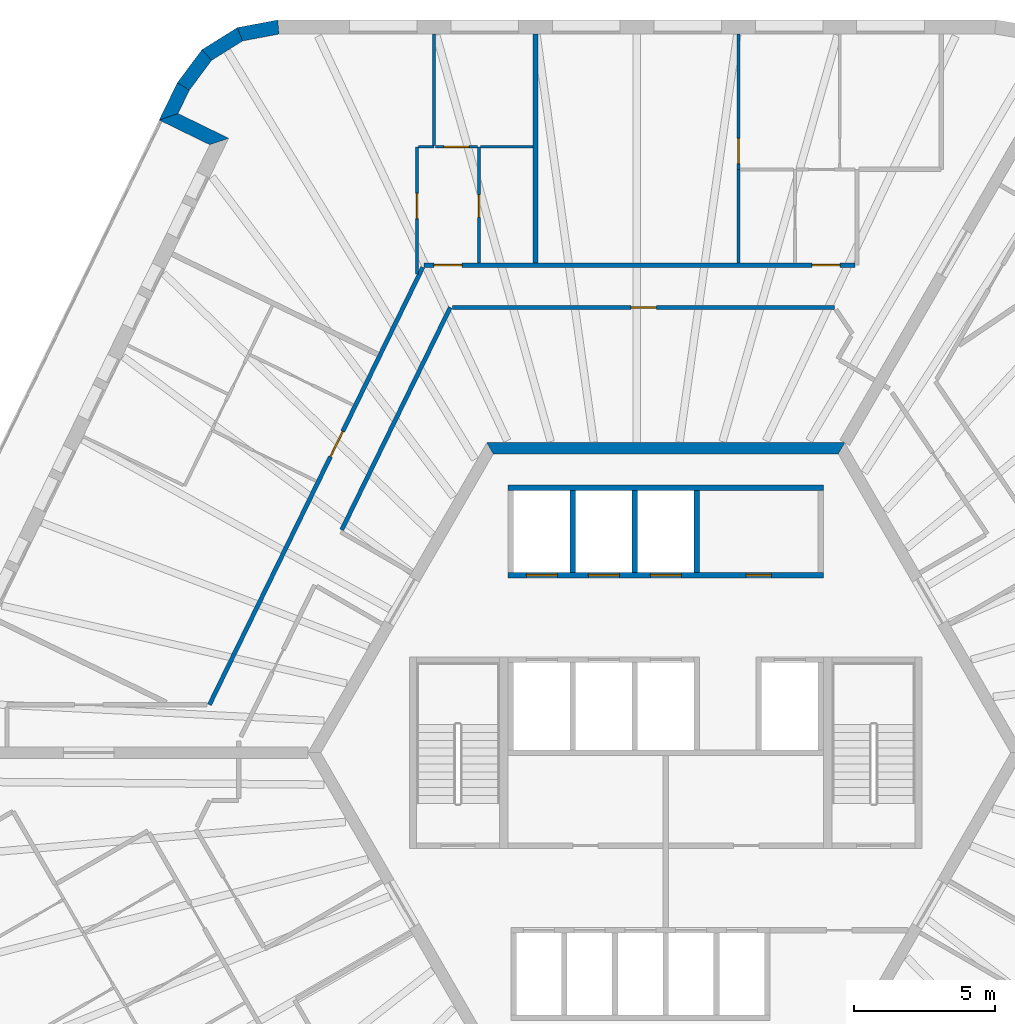
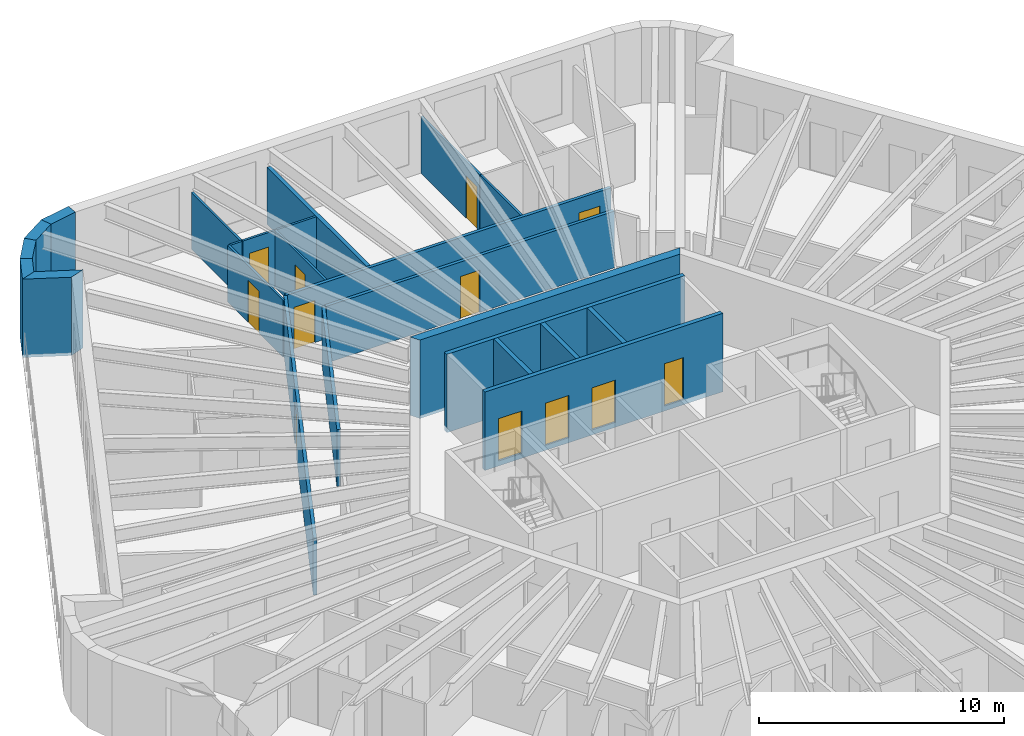
# One storey, part 9 of 12: 24 walls, 12 doors, 12 openings.
"""IFC4 building model written with IfcOpenShell, lengths in metres."""

from ifc_helpers import new_model, si_unit, direction, frame, frame_2d, origin, place, context, subcontext, project, spatial, polyline, rectangle, outline, extrude, material, layer, layer_set, type_object, element, fill, save


model = new_model("IFC4")

# Units and contexts
model_context = context("Model", 3, precision=1e-05, world=origin(), true_north=direction((0.0, 1.0)))
body_context = subcontext(model_context, "Body", "Model", "MODEL_VIEW")
ifc_project = project(units=[si_unit("LENGTHUNIT", "METRE"), si_unit("AREAUNIT", "SQUARE_METRE"), si_unit("VOLUMEUNIT", "CUBIC_METRE"), si_unit("PLANEANGLEUNIT", "RADIAN"), si_unit("MASSUNIT", "GRAM", prefix="KILO")], contexts=[model_context])

# Site, building, storey
site_placement = place(None, origin())
site = spatial("IfcSite", under=ifc_project, at=site_placement, CompositionType="ELEMENT")
building_placement = place(site_placement, origin())
building = spatial("IfcBuilding", under=site, at=building_placement, Name="Tarnside Tower", CompositionType="ELEMENT")
storey_placement = place(building_placement, frame((0.0, 0.0, 260.10009765625)))
storey = spatial("IfcBuildingStorey", under=building, at=storey_placement, Name="L62", CompositionType="ELEMENT", Elevation=260.10009765625)

# Wall
ifc_material_1 = material(Name="Gypsum board partition on steel studs", Category="steel")
ifc_layer_1 = layer(ifc_material_1, 0.10009765625)
ifc_layer_set_1 = layer_set([ifc_layer_1], Name="Bathroom wall 100")
wall_type_1 = type_object("IfcWallType", Name="Bathroom wall 100", PredefinedType="PARTITIONING", material=ifc_layer_set_1)
wall_1_placement = place(storey_placement, frame((2.586181640625, 17.375, 0.0), z_axis=(0.0, 0.0, 1.0), x_axis=(0.0, 1.0, 0.0)))
element("IfcWall", 1, at=wall_1_placement, inside=storey, type_object=wall_type_1, Name="Bathroom wall 20081", PredefinedType="PARTITIONING", context=body_context, shape_type="SweptSolid", body=[
    extrude(rectangle(XDim=3.324951171875, YDim=0.10009765625, at=frame_2d((1.66259765625, 0.0))), origin(), (0.0, 0.0, 1.0), 2.8232421875),
])

# Wall, opening, door
wall_2_placement = place(storey_placement, frame((-6.624755859375, 17.375, 0.0), z_axis=(0.0, 0.0, 1.0), x_axis=(0.0, 1.0, 0.0)))
wall_2 = element("IfcWall", 2, at=wall_2_placement, inside=storey, type_object=wall_type_1, Name="Bathroom wall 20095", PredefinedType="PARTITIONING", context=body_context, shape_type="SweptSolid", body=[
    extrude(rectangle(XDim=4.125, YDim=0.10009765625, at=frame_2d((2.0625, 0.0))), origin(), (0.0, 0.0, 1.0), 2.8232421875),
])
opening_1_placement = place(wall_2_placement, frame((1.625, 0.0, 0.0)))
opening_1 = element("IfcOpeningElement", 3, at=opening_1_placement, cuts=wall_2, Name="Opening D-B1", PredefinedType="OPENING", context=body_context, shape_type="SweptSolid", body=[
    extrude(rectangle(XDim=0.800048828125, YDim=2.10009765625, at=frame_2d((0.39990234375, 1.050048828125))), frame((0.0, 0.06005859375, 0.0), z_axis=(0.0, -1.0, 0.0), x_axis=(1.0, 0.0, 0.0)), (0.0, 0.0, 1.0), 0.1201171875),
])
ifc_material_2 = material(Name="Timber door leaf", Category="wood")
door_type_1 = type_object("IfcDoorType", Name="Bathroom door 800", OperationType="NOTDEFINED", PredefinedType="DOOR", material=ifc_material_2)
door_1_placement = place(opening_1_placement, origin())
door_1 = element("IfcDoor", 4, at=door_1_placement, inside=storey, type_object=door_type_1, Name="Bathroom door 20012", OperationType="SINGLE_SWING_RIGHT", OverallHeight=2.10009765625, OverallWidth=0.800048828125, PredefinedType="DOOR", context=body_context, shape_type="SweptSolid", body=[
    extrude(rectangle(XDim=0.800048828125, YDim=2.10009765625, at=frame_2d((0.39990234375, 1.050048828125))), frame((0.0, 0.02490234375, 0.0), z_axis=(0.0, -1.0, 0.0), x_axis=(1.0, 0.0, 0.0)), (0.0, 0.0, 1.0), 0.050048828125),
])
fill(opening_1, door_1)

# Walls
wall_3_placement = place(storey_placement, frame((-4.71484375, 21.5, 0.0), z_axis=(0.0, 0.0, 1.0), x_axis=(-1.0, 0.0, 0.0)))
element("IfcWall", 5, at=wall_3_placement, inside=storey, type_object=wall_type_1, Name="Bathroom wall 20097", PredefinedType="PARTITIONING", context=body_context, shape_type="SweptSolid", body=[
    extrude(rectangle(XDim=1.862060546875, YDim=0.10009765625, at=frame_2d((0.93115234375, 0.0))), origin(), (0.0, 0.0, 1.0), 2.8232421875),
])
ifc_material_3 = material(Name="Concrete C60/75", Category="concrete")
ifc_layer_2 = layer(ifc_material_3, 0.39990234375)
ifc_layer_set_2 = layer_set([ifc_layer_2], Name="Core wall Z3 400 C60/75")
wall_type_2 = type_object("IfcWallType", Name="Core wall Z3 400 C60/75", PredefinedType="SHEAR", material=ifc_layer_set_2)
wall_4_placement = place(storey_placement, frame((6.2353515625, 10.800048828125, -0.150146484375), z_axis=(0.0, 0.0, 1.0), x_axis=(-1.0, 0.0, 0.0)))
element("IfcWall", 6, at=wall_4_placement, inside=storey, type_object=wall_type_2, Name="L62 core wall face 1", PredefinedType="SHEAR", context=body_context, shape_type="SweptSolid", body=[
    extrude(outline(polyline([(-0.115478515625, -0.199951171875), (12.586181640625, -0.199951171875), (12.355224609375, 0.199951171875), (0.115478515625, 0.199951171875), (-0.115478515625, -0.199951171875)])), origin(), (0.0, 0.0, 1.0), 3.900146484375),
])

# Wall, openings, doors
ifc_layer_3 = layer(ifc_material_1, 0.14990234375)
ifc_layer_set_3 = layer_set([ifc_layer_3], Name="Corridor wall 150 EI 60")
wall_type_3 = type_object("IfcWallType", Name="Corridor wall 150 EI 60", PredefinedType="PARTITIONING", material=ifc_layer_set_3)
wall_5_placement = place(storey_placement, frame((6.711181640625, 17.300048828125, 0.0), z_axis=(0.0, 0.0, 1.0), x_axis=(-1.0, 0.0, 0.0)))
wall_5 = element("IfcWall", 7, at=wall_5_placement, inside=storey, type_object=wall_type_3, Name="Corridor wall 20001", PredefinedType="PARTITIONING", context=body_context, shape_type="SweptSolid", body=[
    extrude(rectangle(XDim=15.296142578125, YDim=0.14990234375, at=frame_2d((7.64794921875, 0.0))), origin(), (0.0, 0.0, 1.0), 2.8232421875),
])
opening_2_placement = place(wall_5_placement, frame((0.52490234375, 0.0, 0.0)))
opening_2 = element("IfcOpeningElement", 8, at=opening_2_placement, cuts=wall_5, Name="Opening D-E1", PredefinedType="OPENING", context=body_context, shape_type="SweptSolid", body=[
    extrude(rectangle(XDim=1.0, YDim=2.10009765625, at=frame_2d((0.5, 1.050048828125))), frame((0.0, 0.0849609375, 0.0), z_axis=(0.0, -1.0, 0.0), x_axis=(1.0, 0.0, 0.0)), (0.0, 0.0, 1.0), 0.169921875),
])
opening_3_placement = place(wall_5_placement, frame((13.93603515625, 0.0, 0.0)))
opening_3 = element("IfcOpeningElement", 9, at=opening_3_placement, cuts=wall_5, Name="Opening D-E1", PredefinedType="OPENING", context=body_context, shape_type="SweptSolid", body=[
    extrude(rectangle(XDim=1.0, YDim=2.10009765625, at=frame_2d((0.5, 1.050048828125))), frame((0.0, 0.0849609375, 0.0), z_axis=(0.0, -1.0, 0.0), x_axis=(1.0, 0.0, 0.0)), (0.0, 0.0, 1.0), 0.169921875),
])
door_type_2 = type_object("IfcDoorType", Name="Unit entrance door 1000 FD30S", OperationType="NOTDEFINED", PredefinedType="DOOR", material=ifc_material_2)
door_2_placement = place(opening_2_placement, origin())
door_2 = element("IfcDoor", 10, at=door_2_placement, inside=storey, type_object=door_type_2, Name="Unit door 20001", OperationType="SINGLE_SWING_RIGHT", OverallHeight=2.10009765625, OverallWidth=1.0, PredefinedType="DOOR", context=body_context, shape_type="SweptSolid", body=[
    extrude(rectangle(XDim=1.0, YDim=2.10009765625, at=frame_2d((0.5, 1.050048828125))), frame((0.0, 0.02490234375, 0.0), z_axis=(0.0, -1.0, 0.0), x_axis=(1.0, 0.0, 0.0)), (0.0, 0.0, 1.0), 0.050048828125),
])
fill(opening_2, door_2)
door_3_placement = place(opening_3_placement, origin())
door_3 = element("IfcDoor", 11, at=door_3_placement, inside=storey, type_object=door_type_2, Name="Unit door 20011", OperationType="SINGLE_SWING_LEFT", OverallHeight=2.10009765625, OverallWidth=1.0, PredefinedType="DOOR", context=body_context, shape_type="SweptSolid", body=[
    extrude(rectangle(XDim=1.0, YDim=2.10009765625, at=frame_2d((0.5, 1.050048828125))), frame((0.0, 0.02490234375, 0.0), z_axis=(0.0, -1.0, 0.0), x_axis=(1.0, 0.0, 0.0)), (0.0, 0.0, 1.0), 0.050048828125),
])
fill(opening_3, door_3)

# Wall, opening, door
wall_6_placement = place(storey_placement, frame((-8.62158203125, 17.22509765625, 0.0), z_axis=(0.0, 0.0, 1.0), x_axis=(-0.438366544921, -0.898796290765, 0.0)))
wall_6 = element("IfcWall", 12, at=wall_6_placement, inside=storey, type_object=wall_type_3, Name="Corridor wall 20007", PredefinedType="PARTITIONING", context=body_context, shape_type="SweptSolid", body=[
    extrude(rectangle(XDim=17.273193359375, YDim=0.14990234375, at=frame_2d((8.63671875, 0.0))), origin(), (0.0, 0.0, 1.0), 2.8232421875),
])
opening_4_placement = place(wall_6_placement, frame((6.4775390625, 0.0, 0.0)))
opening_4 = element("IfcOpeningElement", 13, at=opening_4_placement, cuts=wall_6, Name="Opening D-E1", PredefinedType="OPENING", context=body_context, shape_type="SweptSolid", body=[
    extrude(rectangle(XDim=1.0, YDim=2.10009765625, at=frame_2d((0.5, 1.050048828125))), frame((0.0, 0.0849609375, 0.0), z_axis=(0.0, -1.0, 0.0), x_axis=(1.0, 0.0, 0.0)), (0.0, 0.0, 1.0), 0.169921875),
])
door_4_placement = place(opening_4_placement, origin())
door_4 = element("IfcDoor", 14, at=door_4_placement, inside=storey, type_object=door_type_2, Name="Unit door 20015", OperationType="SINGLE_SWING_RIGHT", OverallHeight=2.10009765625, OverallWidth=1.0, PredefinedType="DOOR", context=body_context, shape_type="SweptSolid", body=[
    extrude(rectangle(XDim=1.0, YDim=2.10009765625, at=frame_2d((0.5, 1.050048828125))), frame((0.0, 0.02490234375, 0.0), z_axis=(0.0, -1.0, 0.0), x_axis=(1.0, 0.0, 0.0)), (0.0, 0.0, 1.0), 0.050048828125),
])
fill(opening_4, door_4)

# Wall
wall_7_placement = place(storey_placement, frame((-11.49853515625, 7.904541015625, 0.0), z_axis=(0.0, 0.0, 1.0), x_axis=(0.438365041944, 0.898797023805, 0.0)))
element("IfcWall", 15, at=wall_7_placement, inside=storey, type_object=wall_type_3, Name="Corridor wall 20018", PredefinedType="PARTITIONING", context=body_context, shape_type="SweptSolid", body=[
    extrude(rectangle(XDim=8.784423828125, YDim=0.14990234375, at=frame_2d((4.39208984375, 0.0))), origin(), (0.0, 0.0, 1.0), 2.8232421875),
])

# Wall, opening, door
wall_8_placement = place(storey_placement, frame((-7.564208984375, 15.800048828125, 0.0), z_axis=(0.0, 0.0, 1.0), x_axis=(1.0, 0.0, 0.0)))
wall_8 = element("IfcWall", 16, at=wall_8_placement, inside=storey, type_object=wall_type_3, Name="Corridor wall 20019", PredefinedType="PARTITIONING", context=body_context, shape_type="SweptSolid", body=[
    extrude(rectangle(XDim=13.552734375, YDim=0.14990234375, at=frame_2d((6.7763671875, 0.0))), origin(), (0.0, 0.0, 1.0), 2.8232421875),
])
opening_5_placement = place(wall_8_placement, frame((6.326416015625, 0.0, 0.0)))
opening_5 = element("IfcOpeningElement", 17, at=opening_5_placement, cuts=wall_8, Name="Opening D-S1", PredefinedType="OPENING", context=body_context, shape_type="SweptSolid", body=[
    extrude(rectangle(XDim=0.89990234375, YDim=2.10009765625, at=frame_2d((0.449951171875, 1.050048828125))), frame((0.0, 0.0849609375, 0.0), z_axis=(0.0, -1.0, 0.0), x_axis=(1.0, 0.0, 0.0)), (0.0, 0.0, 1.0), 0.169921875),
])
door_type_3 = type_object("IfcDoorType", Name="Service room door 900 FD30S", OperationType="NOTDEFINED", PredefinedType="DOOR", material=ifc_material_2)
door_5_placement = place(opening_5_placement, origin())
door_5 = element("IfcDoor", 18, at=door_5_placement, inside=storey, type_object=door_type_3, Name="Service door 20071", OperationType="SINGLE_SWING_LEFT", OverallHeight=2.10009765625, OverallWidth=0.89990234375, PredefinedType="DOOR", context=body_context, shape_type="SweptSolid", body=[
    extrude(rectangle(XDim=0.89990234375, YDim=2.10009765625, at=frame_2d((0.449951171875, 1.050048828125))), frame((0.0, 0.02490234375, 0.0), z_axis=(0.0, -1.0, 0.0), x_axis=(1.0, 0.0, 0.0)), (0.0, 0.0, 1.0), 0.050048828125),
])
fill(opening_5, door_5)

# Wall
ifc_layer_4 = layer(ifc_material_1, 0.179931640625)
ifc_layer_set_4 = layer_set([ifc_layer_4], Name="Demising wall 180 EI 60")
wall_type_4 = type_object("IfcWallType", Name="Demising wall 180 EI 60", PredefinedType="PARTITIONING", material=ifc_layer_set_4)
wall_9_placement = place(storey_placement, frame((-4.624755859375, 25.5, 0.0), z_axis=(0.0, 0.0, 1.0), x_axis=(0.0, -1.0, 0.0)))
element("IfcWall", 19, at=wall_9_placement, inside=storey, type_object=wall_type_4, Name="Demising wall 20083", PredefinedType="PARTITIONING", context=body_context, shape_type="SweptSolid", body=[
    extrude(rectangle(XDim=8.125, YDim=0.179931640625, at=frame_2d((4.0625, 0.0))), origin(), (0.0, 0.0, 1.0), 2.8232421875),
])

# Wall, openings, doors
ifc_material_4 = material(Name="Concrete C40/50", Category="concrete")
ifc_layer_5 = layer(ifc_material_4, 0.199951171875)
ifc_layer_set_5 = layer_set([ifc_layer_5], Name="Lift shaft wall 200 C40/50")
wall_type_5 = type_object("IfcWallType", Name="Lift shaft wall 200 C40/50", PredefinedType="SHEAR", material=ifc_layer_set_5)
wall_10_placement = place(storey_placement, frame((-5.60009765625, 6.300048828125, -0.25), z_axis=(0.0, 0.0, 1.0), x_axis=(1.0, 0.0, 0.0)))
wall_10 = element("IfcWall", 20, at=wall_10_placement, inside=storey, type_object=wall_type_5, Name="L62 lift shaft front wall R1", PredefinedType="SHEAR", context=body_context, shape_type="SweptSolid", body=[
    extrude(rectangle(XDim=11.2001953125, YDim=0.199951171875, at=frame_2d((5.60009765625, 0.0))), origin(), (0.0, 0.0, 1.0), 3.89990234375),
])
opening_6_placement = place(wall_10_placement, frame((8.449951171875, 0.0, 0.25)))
opening_6 = element("IfcOpeningElement", 21, at=opening_6_placement, cuts=wall_10, Name="Opening CD-room", PredefinedType="OPENING", context=body_context, shape_type="SweptSolid", body=[
    extrude(rectangle(XDim=0.89990234375, YDim=2.10009765625, at=frame_2d((0.449951171875, 1.050048828125))), frame((0.0, 0.10986328125, 0.0), z_axis=(0.0, -1.0, 0.0), x_axis=(1.0, 0.0, 0.0)), (0.0, 0.0, 1.0), 0.219970703125),
])
opening_7_placement = place(wall_10_placement, frame((0.64990234375, 0.0, 0.25)))
opening_7 = element("IfcOpeningElement", 22, at=opening_7_placement, cuts=wall_10, Name="Opening LD", PredefinedType="OPENING", context=body_context, shape_type="SweptSolid", body=[
    extrude(rectangle(XDim=1.10009765625, YDim=2.10009765625, at=frame_2d((0.550048828125, 1.050048828125))), frame((0.0, 0.10986328125, 0.0), z_axis=(0.0, -1.0, 0.0), x_axis=(1.0, 0.0, 0.0)), (0.0, 0.0, 1.0), 0.219970703125),
])
opening_8_placement = place(wall_10_placement, frame((2.85009765625, 0.0, 0.25)))
opening_8 = element("IfcOpeningElement", 23, at=opening_8_placement, cuts=wall_10, Name="Opening LD", PredefinedType="OPENING", context=body_context, shape_type="SweptSolid", body=[
    extrude(rectangle(XDim=1.10009765625, YDim=2.10009765625, at=frame_2d((0.550048828125, 1.050048828125))), frame((0.0, 0.10986328125, 0.0), z_axis=(0.0, -1.0, 0.0), x_axis=(1.0, 0.0, 0.0)), (0.0, 0.0, 1.0), 0.219970703125),
])
opening_9_placement = place(wall_10_placement, frame((5.050048828125, 0.0, 0.25)))
opening_9 = element("IfcOpeningElement", 24, at=opening_9_placement, cuts=wall_10, Name="Opening LD", PredefinedType="OPENING", context=body_context, shape_type="SweptSolid", body=[
    extrude(rectangle(XDim=1.10009765625, YDim=2.10009765625, at=frame_2d((0.550048828125, 1.050048828125))), frame((0.0, 0.10986328125, 0.0), z_axis=(0.0, -1.0, 0.0), x_axis=(1.0, 0.0, 0.0)), (0.0, 0.0, 1.0), 0.219970703125),
])
ifc_material_5 = material(Name="Stainless steel", Category="steel")
door_type_4 = type_object("IfcDoorType", Name="Lift landing door 1100x2100", OperationType="NOTDEFINED", PredefinedType="DOOR", material=ifc_material_5)
door_6_placement = place(opening_7_placement, origin())
door_6 = element("IfcDoor", 25, at=door_6_placement, inside=storey, type_object=door_type_4, Name="High-rise lift 1 landing door L62", OperationType="SLIDING_TO_LEFT", OverallHeight=2.10009765625, OverallWidth=1.10009765625, PredefinedType="DOOR", context=body_context, shape_type="SweptSolid", body=[
    extrude(rectangle(XDim=1.10009765625, YDim=2.10009765625, at=frame_2d((0.550048828125, 1.050048828125))), frame((0.0, 0.02490234375, 0.0), z_axis=(0.0, -1.0, 0.0), x_axis=(1.0, 0.0, 0.0)), (0.0, 0.0, 1.0), 0.050048828125),
])
fill(opening_7, door_6)
door_7_placement = place(opening_8_placement, origin())
door_7 = element("IfcDoor", 26, at=door_7_placement, inside=storey, type_object=door_type_4, Name="High-rise lift 2 landing door L62", OperationType="SLIDING_TO_LEFT", OverallHeight=2.10009765625, OverallWidth=1.10009765625, PredefinedType="DOOR", context=body_context, shape_type="SweptSolid", body=[
    extrude(rectangle(XDim=1.10009765625, YDim=2.10009765625, at=frame_2d((0.550048828125, 1.050048828125))), frame((0.0, 0.02490234375, 0.0), z_axis=(0.0, -1.0, 0.0), x_axis=(1.0, 0.0, 0.0)), (0.0, 0.0, 1.0), 0.050048828125),
])
fill(opening_8, door_7)
door_8_placement = place(opening_9_placement, origin())
door_8 = element("IfcDoor", 27, at=door_8_placement, inside=storey, type_object=door_type_4, Name="High-rise lift 3 landing door L62", OperationType="SLIDING_TO_LEFT", OverallHeight=2.10009765625, OverallWidth=1.10009765625, PredefinedType="DOOR", context=body_context, shape_type="SweptSolid", body=[
    extrude(rectangle(XDim=1.10009765625, YDim=2.10009765625, at=frame_2d((0.550048828125, 1.050048828125))), frame((0.0, 0.02490234375, 0.0), z_axis=(0.0, -1.0, 0.0), x_axis=(1.0, 0.0, 0.0)), (0.0, 0.0, 1.0), 0.050048828125),
])
fill(opening_9, door_8)
ifc_material_6 = material(Name="Steel fire door", Category="steel")
door_type_5 = type_object("IfcDoorType", Name="Room door FD60 900x2100", OperationType="NOTDEFINED", PredefinedType="DOOR", material=ifc_material_6)
door_9_placement = place(opening_6_placement, origin())
door_9 = element("IfcDoor", 28, at=door_9_placement, inside=storey, type_object=door_type_5, Name="L62 core room door FC1", OperationType="SINGLE_SWING_LEFT", OverallHeight=2.10009765625, OverallWidth=0.89990234375, PredefinedType="DOOR", context=body_context, shape_type="SweptSolid", body=[
    extrude(rectangle(XDim=0.89990234375, YDim=2.10009765625, at=frame_2d((0.449951171875, 1.050048828125))), frame((0.0, 0.02490234375, 0.0), z_axis=(0.0, -1.0, 0.0), x_axis=(1.0, 0.0, 0.0)), (0.0, 0.0, 1.0), 0.050048828125),
])
fill(opening_6, door_9)

# Walls
wall_11_placement = place(storey_placement, frame((-5.60009765625, 9.39990234375, -0.25), z_axis=(0.0, 0.0, 1.0), x_axis=(1.0, 0.0, 0.0)))
element("IfcWall", 29, at=wall_11_placement, inside=storey, type_object=wall_type_5, Name="L62 lift shaft back wall R1", PredefinedType="SHEAR", context=body_context, shape_type="SweptSolid", body=[
    extrude(rectangle(XDim=11.2001953125, YDim=0.199951171875, at=frame_2d((5.60009765625, 0.0))), origin(), (0.0, 0.0, 1.0), 3.89990234375),
])
for number, where, z_axis, x_axis, name in (
    (30, (-3.300048828125, 6.39990234375, -0.25), (0.0, 0.0, 1.0), (0.0, 1.0, 0.0), "L62 lift shaft partition R12"),
    (31, (-1.10009765625, 6.39990234375, -0.25), (0.0, 0.0, 1.0), (0.0, 1.0, 0.0), "L62 lift shaft partition R13"),
    (32, (1.10009765625, 6.39990234375, -0.25), (0.0, 0.0, 1.0), (0.0, 1.0, 0.0), "L62 lift shaft partition R14"),
):
    element("IfcWall", number, at=place(storey_placement, frame(where, z_axis=z_axis, x_axis=x_axis)), inside=storey, type_object=wall_type_5, Name=name, PredefinedType="SHEAR", context=body_context, shape_type="SweptSolid", body=[
        extrude(rectangle(XDim=2.900146484375, YDim=0.199951171875, at=frame_2d((1.4501953125, 0.0))), origin(), (0.0, 0.0, 1.0), 3.89990234375),
    ])
ifc_material_7 = material(Name="Dark zinc cladding")
ifc_layer_6 = layer(ifc_material_7, 0.10205078125)
ifc_material_8 = material(Name="Concrete C60/75 precast", Category="concrete")
ifc_layer_7 = layer(ifc_material_8, 0.298095703125)
ifc_material_9 = material(Name="Mineral wool insulation")
ifc_layer_8 = layer(ifc_material_9, 0.10009765625)
ifc_layer_set_6 = layer_set([ifc_layer_6, ifc_layer_7, ifc_layer_8], Name="Loggia wall 500 zinc faced")
wall_type_6 = type_object("IfcWallType", Name="Loggia wall 500 zinc faced", PredefinedType="SOLIDWALL", material=ifc_layer_set_6)
wall_12_placement = place(storey_placement, frame((-17.11767578125, 23.643798828125, -0.150146484375), z_axis=(0.0, 0.0, 1.0), x_axis=(-0.438319390103, -0.898819287877, 0.0)))
element("IfcWall", 33, at=wall_12_placement, inside=storey, type_object=wall_type_6, Name="Tube wall L62 F2 stub 04", PredefinedType="SOLIDWALL", context=body_context, shape_type="SweptSolid", body=[
    extrude(outline(polyline([(-0.0234375, -0.25), (1.44970703125, -0.25), (0.94970703125, 0.25), (0.0234375, 0.25), (-0.0234375, -0.25)])), origin(), (0.0, 0.0, 1.0), 3.900146484375),
])
wall_13_placement = place(storey_placement, frame((-17.6435546875, 22.5654296875, -0.150146484375), z_axis=(0.0, 0.0, 1.0), x_axis=(0.898754367686, -0.43845249066, 0.0)))
element("IfcWall", 34, at=wall_13_placement, inside=storey, type_object=wall_type_6, Name="Tube wall L62 F2 return 05", PredefinedType="SOLIDWALL", context=body_context, shape_type="SweptSolid", body=[
    extrude(outline(polyline([(-0.25, -0.25), (1.75, -0.25), (2.25, 0.25), (0.25, 0.25), (-0.25, -0.25)])), origin(), (0.0, 0.0, 1.0), 3.900146484375),
])

# Wall, opening, door
ifc_layer_9 = layer(ifc_material_1, 0.10009765625)
ifc_layer_set_7 = layer_set([ifc_layer_9], Name="Partition 100")
wall_type_7 = type_object("IfcWallType", Name="Partition 100", PredefinedType="PARTITIONING", material=ifc_layer_set_7)
wall_14_placement = place(storey_placement, frame((2.5751953125, 20.699951171875, 0.0), z_axis=(0.0, 0.0, 1.0), x_axis=(0.0, 1.0, 0.0)))
wall_14 = element("IfcWall", 35, at=wall_14_placement, inside=storey, type_object=wall_type_7, Name="Partition wall 20082", PredefinedType="PARTITIONING", context=body_context, shape_type="SweptSolid", body=[
    extrude(rectangle(XDim=4.800048828125, YDim=0.10009765625, at=frame_2d((2.39990234375, 0.0))), origin(), (0.0, 0.0, 1.0), 2.8232421875),
])
opening_10_placement = place(wall_14_placement, frame((0.199951171875, 0.0, 0.0)))
opening_10 = element("IfcOpeningElement", 36, at=opening_10_placement, cuts=wall_14, Name="Opening D-I1", PredefinedType="OPENING", context=body_context, shape_type="SweptSolid", body=[
    extrude(rectangle(XDim=0.89990234375, YDim=2.10009765625, at=frame_2d((0.449951171875, 1.050048828125))), frame((0.0, 0.06005859375, 0.0), z_axis=(0.0, -1.0, 0.0), x_axis=(1.0, 0.0, 0.0)), (0.0, 0.0, 1.0), 0.1201171875),
])
door_type_6 = type_object("IfcDoorType", Name="Internal door 900", OperationType="NOTDEFINED", PredefinedType="DOOR", material=ifc_material_2)
door_10_placement = place(opening_10_placement, origin())
door_10 = element("IfcDoor", 37, at=door_10_placement, inside=storey, type_object=door_type_6, Name="Internal door 20010", OperationType="SINGLE_SWING_RIGHT", OverallHeight=2.10009765625, OverallWidth=0.89990234375, PredefinedType="DOOR", context=body_context, shape_type="SweptSolid", body=[
    extrude(rectangle(XDim=0.89990234375, YDim=2.10009765625, at=frame_2d((0.449951171875, 1.050048828125))), frame((0.0, 0.02490234375, 0.0), z_axis=(0.0, -1.0, 0.0), x_axis=(1.0, 0.0, 0.0)), (0.0, 0.0, 1.0), 0.050048828125),
])
fill(opening_10, door_10)

wall_15_placement = place(storey_placement, frame((-8.82470703125, 16.9794921875, 0.0), z_axis=(0.0, 0.0, 1.0), x_axis=(0.0, 1.0, 0.0)))
wall_15 = element("IfcWall", 38, at=wall_15_placement, inside=storey, type_object=wall_type_7, Name="Partition wall 20090", PredefinedType="PARTITIONING", context=body_context, shape_type="SweptSolid", body=[
    extrude(rectangle(XDim=4.5205078125, YDim=0.10009765625, at=frame_2d((2.26025390625, 0.0))), origin(), (0.0, 0.0, 1.0), 2.8232421875),
])
opening_11_placement = place(wall_15_placement, frame((1.970458984375, 0.0, 0.0)))
opening_11 = element("IfcOpeningElement", 39, at=opening_11_placement, cuts=wall_15, Name="Opening D-I1", PredefinedType="OPENING", context=body_context, shape_type="SweptSolid", body=[
    extrude(rectangle(XDim=0.89990234375, YDim=2.10009765625, at=frame_2d((0.449951171875, 1.050048828125))), frame((0.0, 0.06005859375, 0.0), z_axis=(0.0, -1.0, 0.0), x_axis=(1.0, 0.0, 0.0)), (0.0, 0.0, 1.0), 0.1201171875),
])
door_11_placement = place(opening_11_placement, origin())
door_11 = element("IfcDoor", 40, at=door_11_placement, inside=storey, type_object=door_type_6, Name="Internal door 20013", OperationType="SINGLE_SWING_LEFT", OverallHeight=2.10009765625, OverallWidth=0.89990234375, PredefinedType="DOOR", context=body_context, shape_type="SweptSolid", body=[
    extrude(rectangle(XDim=0.89990234375, YDim=2.10009765625, at=frame_2d((0.449951171875, 1.050048828125))), frame((0.0, 0.02490234375, 0.0), z_axis=(0.0, -1.0, 0.0), x_axis=(1.0, 0.0, 0.0)), (0.0, 0.0, 1.0), 0.050048828125),
])
fill(opening_11, door_11)

# Walls
wall_16_placement = place(storey_placement, frame((-8.77490234375, 21.5, 0.0), z_axis=(0.0, 0.0, 1.0), x_axis=(1.0, 0.0, 0.0)))
element("IfcWall", 41, at=wall_16_placement, inside=storey, type_object=wall_type_7, Name="Partition wall 20091", PredefinedType="PARTITIONING", context=body_context, shape_type="SweptSolid", body=[
    extrude(rectangle(XDim=0.552001953125, YDim=0.10009765625, at=frame_2d((0.27587890625, 0.0))), origin(), (0.0, 0.0, 1.0), 2.8232421875),
])
wall_17_placement = place(storey_placement, frame((-8.224853515625, 21.550048828125, 0.0), z_axis=(0.0, 0.0, 1.0), x_axis=(0.0, 1.0, 0.0)))
element("IfcWall", 42, at=wall_17_placement, inside=storey, type_object=wall_type_7, Name="Partition wall 20092", PredefinedType="PARTITIONING", context=body_context, shape_type="SweptSolid", body=[
    extrude(rectangle(XDim=3.949951171875, YDim=0.10009765625, at=frame_2d((1.97509765625, 0.0))), origin(), (0.0, 0.0, 1.0), 2.8232421875),
])

# Wall, opening, door
wall_18_placement = place(storey_placement, frame((-6.6728515625, 21.5, 0.0), z_axis=(0.0, 0.0, 1.0), x_axis=(-1.0, 0.0, 0.0)))
wall_18 = element("IfcWall", 43, at=wall_18_placement, inside=storey, type_object=wall_type_7, Name="Partition wall 20096", PredefinedType="PARTITIONING", context=body_context, shape_type="SweptSolid", body=[
    extrude(rectangle(XDim=1.501953125, YDim=0.10009765625, at=frame_2d((0.7509765625, 0.0))), origin(), (0.0, 0.0, 1.0), 2.8232421875),
])
opening_12_placement = place(wall_18_placement, frame((0.302001953125, 0.0, 0.0)))
opening_12 = element("IfcOpeningElement", 44, at=opening_12_placement, cuts=wall_18, Name="Opening D-I1", PredefinedType="OPENING", context=body_context, shape_type="SweptSolid", body=[
    extrude(rectangle(XDim=0.89990234375, YDim=2.10009765625, at=frame_2d((0.449951171875, 1.050048828125))), frame((0.0, 0.06005859375, 0.0), z_axis=(0.0, -1.0, 0.0), x_axis=(1.0, 0.0, 0.0)), (0.0, 0.0, 1.0), 0.1201171875),
])
door_12_placement = place(opening_12_placement, origin())
door_12 = element("IfcDoor", 45, at=door_12_placement, inside=storey, type_object=door_type_6, Name="Internal door 20014", OperationType="SINGLE_SWING_RIGHT", OverallHeight=2.10009765625, OverallWidth=0.89990234375, PredefinedType="DOOR", context=body_context, shape_type="SweptSolid", body=[
    extrude(rectangle(XDim=0.89990234375, YDim=2.10009765625, at=frame_2d((0.449951171875, 1.050048828125))), frame((0.0, 0.02490234375, 0.0), z_axis=(0.0, -1.0, 0.0), x_axis=(1.0, 0.0, 0.0)), (0.0, 0.0, 1.0), 0.050048828125),
])
fill(opening_12, door_12)

# Walls
ifc_material_10 = material(Name="Facing brick", Category="masonry")
ifc_layer_10 = layer(ifc_material_10, 0.10205078125)
ifc_layer_11 = layer(ifc_material_8, 0.298095703125)
ifc_layer_12 = layer(ifc_material_9, 0.10009765625)
ifc_layer_set_8 = layer_set([ifc_layer_10, ifc_layer_11, ifc_layer_12], Name="Tube wall 500 brick faced")
wall_type_8 = type_object("IfcWallType", Name="Tube wall 500 brick faced", PredefinedType="SOLIDWALL", material=ifc_layer_set_8)
wall_19_placement = place(storey_placement, frame((-13.7470703125, 25.75, -0.150146484375), z_axis=(0.0, 0.0, 1.0), x_axis=(-0.982736538448, -0.185010529429, 0.0)))
element("IfcWall", 46, at=wall_19_placement, inside=storey, type_object=wall_type_8, Name="Tube wall L62 F1 chord 01", PredefinedType="SOLIDWALL", context=body_context, shape_type="SweptSolid", body=[
    extrude(outline(polyline([(-0.0234375, -0.25), (1.435302734375, -0.25), (1.341064453125, 0.25), (0.0234375, 0.25), (-0.0234375, -0.25)])), origin(), (0.0, 0.0, 1.0), 3.900146484375),
])
wall_20_placement = place(storey_placement, frame((-15.111328125, 25.4931640625, -0.150146484375), z_axis=(0.0, 0.0, 1.0), x_axis=(-0.847978544293, -0.530030554231, 0.0)))
element("IfcWall", 47, at=wall_20_placement, inside=storey, type_object=wall_type_8, Name="Tube wall L62 F1 chord 02", PredefinedType="SOLIDWALL", context=body_context, shape_type="SweptSolid", body=[
    extrude(outline(polyline([(-0.047119140625, -0.25), (1.435302734375, -0.25), (1.341064453125, 0.25), (0.047119140625, 0.25), (-0.047119140625, -0.25)])), origin(), (0.0, 0.0, 1.0), 3.900146484375),
])
wall_21_placement = place(storey_placement, frame((-16.28857421875, 24.75732421875, -0.150146484375), z_axis=(0.0, 0.0, 1.0), x_axis=(-0.597210785942, -0.802084332945, 0.0)))
element("IfcWall", 48, at=wall_21_placement, inside=storey, type_object=wall_type_8, Name="Tube wall L62 F1 chord 03", PredefinedType="SOLIDWALL", context=body_context, shape_type="SweptSolid", body=[
    extrude(outline(polyline([(-0.047119140625, -0.25), (1.41162109375, -0.25), (1.36474609375, 0.25), (0.047119140625, 0.25), (-0.047119140625, -0.25)])), origin(), (0.0, 0.0, 1.0), 3.900146484375),
])

save(model, "model.ifc")
